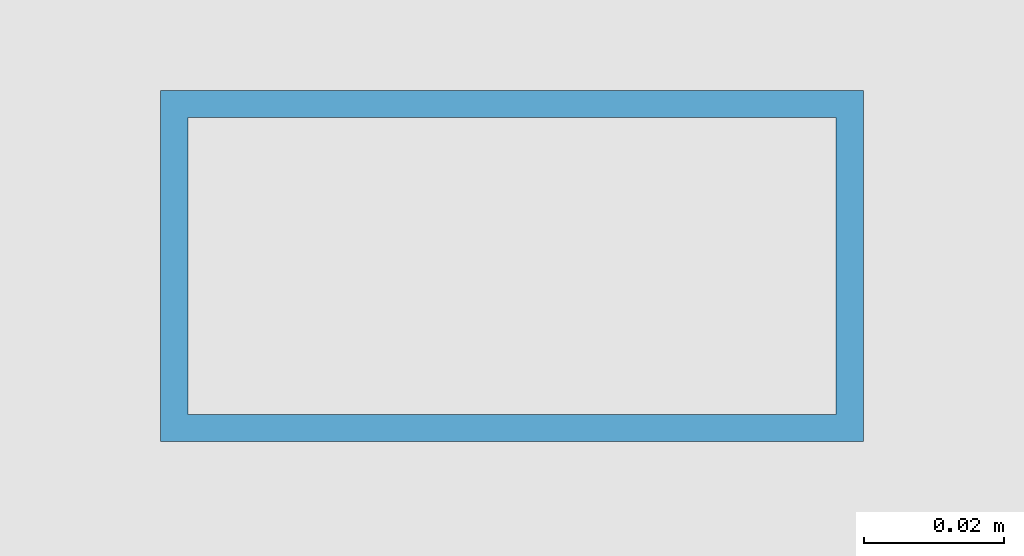
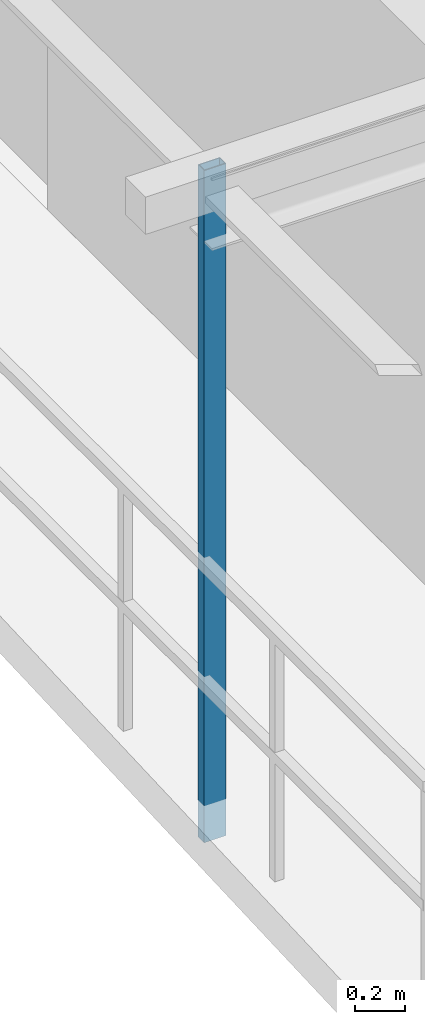
# One storey, part 3 of 16: 1 member.
"""IFC4 building model written with IfcOpenShell, lengths in metres."""

from ifc_helpers import new_model, si_unit, direction, frame, origin, origin_2d, place, context, subcontext, project, spatial, hollow_rectangle, extrude, source, transform, mapped, material, material_profile, profile_set, type_object, element, save


model = new_model("IFC4")

# Units and contexts
model_context = context("Model", 3, precision=1e-05, world=origin(), true_north=direction((0.0, 1.0)))
body_context = subcontext(model_context, "Body", "Model", "MODEL_VIEW")
ifc_project = project(units=[si_unit("LENGTHUNIT", "METRE"), si_unit("AREAUNIT", "SQUARE_METRE"), si_unit("VOLUMEUNIT", "CUBIC_METRE"), si_unit("PLANEANGLEUNIT", "RADIAN"), si_unit("MASSUNIT", "GRAM", prefix="KILO"), si_unit("THERMODYNAMICTEMPERATUREUNIT", "KELVIN"), si_unit("POWERUNIT", "WATT")], contexts=[model_context])

# Site, building, storey
site_placement = place(None, origin())
site = spatial("IfcSite", under=ifc_project, at=site_placement, CompositionType="ELEMENT")
building_placement = place(site_placement, origin())
building = spatial("IfcBuilding", under=site, at=building_placement, Name="Qiaomeng Ring Towers", CompositionType="ELEMENT")
storey_placement = place(building_placement, frame((0.0, 0.0, 210.0)))
storey = spatial("IfcBuildingStorey", under=building, at=storey_placement, Name="L61", CompositionType="ELEMENT", Elevation=210.0)

# Member
ifc_material = material(Name="Stainless steel 316", Category="steel")
ifc_material_profile = material_profile(ifc_material, hollow_rectangle(XDim=0.050048828125, YDim=0.10009765625, WallThickness=0.00390625, at=origin_2d()), Name="SS TRELLIS 100x50")
ifc_profile_set = profile_set([ifc_material_profile], Name="Stainless steel 316")
member_type = type_object("IfcMemberType", Name="ARC-TR-POST2", PredefinedType="STUD", material=ifc_profile_set)
shared_shape = source(origin(), body_context, "Body", "SweptSolid", [
    extrude(hollow_rectangle(XDim=0.050048828125, YDim=0.10009765625, WallThickness=0.00390625, at=origin_2d()), origin(), (0.0, 0.0, 1.0), 3.25),
])
member_placement = place(storey_placement, frame((0.72998046875, 20.0, -0.179931640625), z_axis=(0.0, 0.0, 1.0), x_axis=(0.0, 1.0, 0.0)))
element("IfcMember", 1, at=member_placement, inside=storey, type_object=member_type, Name="L61 Outer Ventilated Trellis Post W", PredefinedType="STUD", context=body_context, shape_type="MappedRepresentation", body=[
    mapped(shared_shape, transform((0.0, 0.0, 0.0), x_axis=(1.0, 0.0, 0.0), y_axis=(0.0, 1.0, 0.0), z_axis=(0.0, 0.0, 1.0), scale=1.0)),
])

save(model, "model.ifc")
